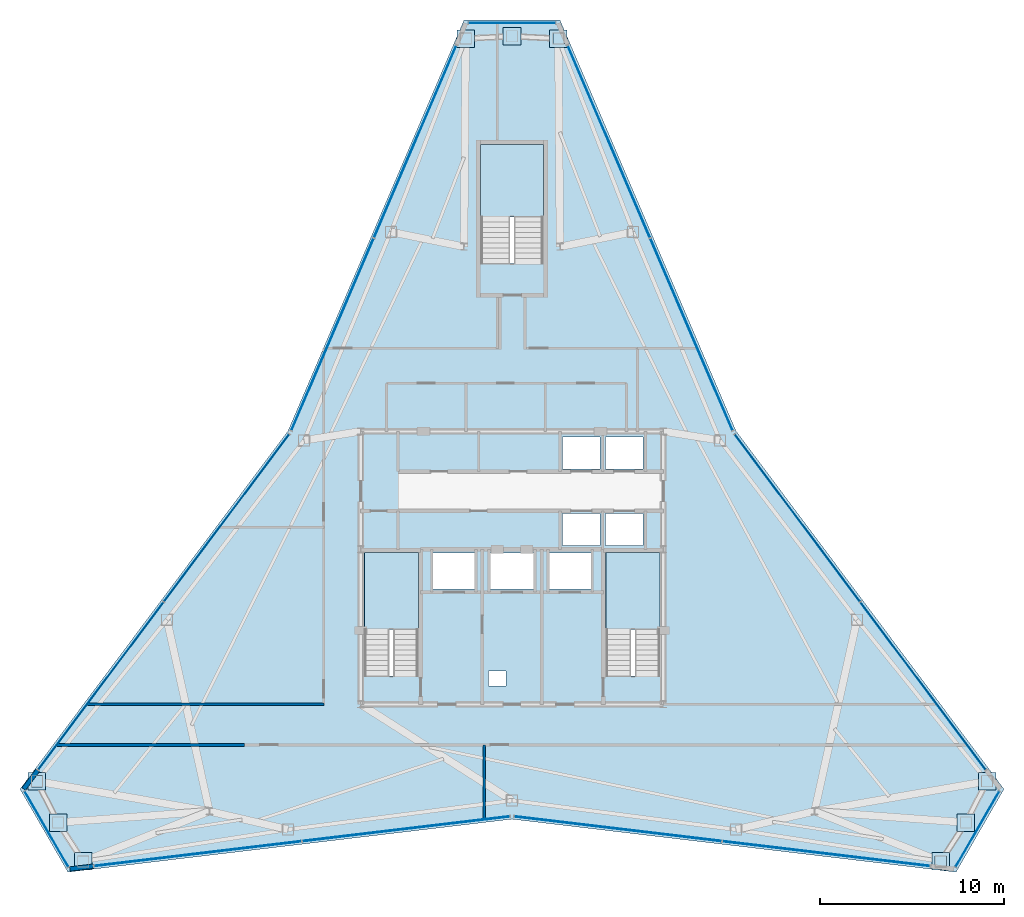
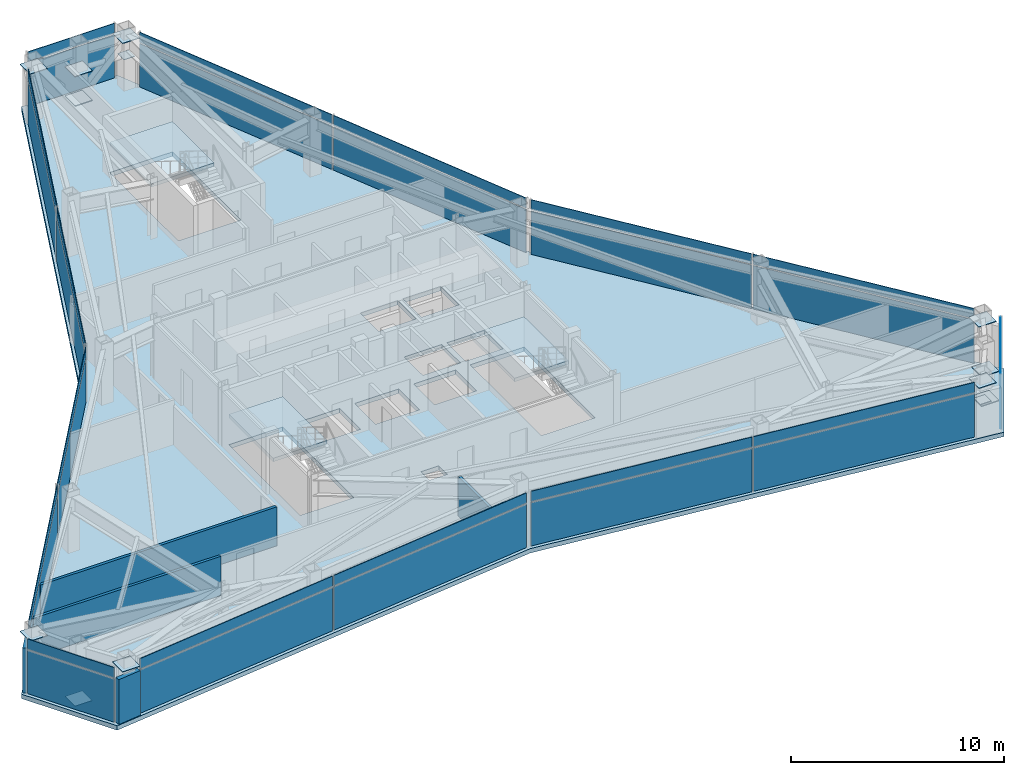
# One storey, part 8 of 12: 45 plates, 5 walls, 4 slabs, 12 elements without a shape of their own.
"""IFC4 building model written with IfcOpenShell, lengths in metres."""

import ifcopenshell
import ifcopenshell.guid

model = None  # the IFC model being written
_history = None  # IfcOwnerHistory: only IFC2X3 demands one
_inside = {}  # id of a spatial element -> (the spatial element, [elements in it])
_under = {}  # id of a project, library or spatial element -> (it, [spatial elements below it])
_declared = {}  # id of a project -> (the project, [libraries it declares])
_typed = {}  # id of a type object -> (the type object, [elements of that type])
_made_of = {}  # id of a material, layer set ... -> (it, [elements and type objects made of it])


def new_model(schema):
    """Start an empty IFC model of exactly this schema.

    Asked for "IFC4X3", IfcOpenShell would pick the latest addendum, in which some entities
    have other attributes; the version numbers below select the first issue.
    IFC2X3 requires an IfcOwnerHistory on every rooted entity: one is made here for all.
    """
    global model, _history
    if schema == "IFC4X3":
        model = ifcopenshell.file(schema_version=(4, 3, 0, 0))
    else:
        model = ifcopenshell.file(schema=schema)
    _inside.clear()
    _under.clear()
    _declared.clear()
    _typed.clear()
    _made_of.clear()
    _history = None
    if model.schema == "IFC2X3":
        org = make("IfcOrganization", Name="unknown")
        user = make(
            "IfcPersonAndOrganization",
            ThePerson=make("IfcPerson", FamilyName="unknown"),
            TheOrganization=org,
        )
        app = make(
            "IfcApplication",
            ApplicationDeveloper=org,
            Version="unknown",
            ApplicationFullName="unknown",
            ApplicationIdentifier="unknown",
        )
        _history = make(
            "IfcOwnerHistory",
            OwningUser=user,
            OwningApplication=app,
            ChangeAction="ADDED",
            CreationDate=0,
        )
    return model


def make(cls, **values):
    """One entity of the class cls with the attributes given. An attribute that is None is left unset."""
    return model.create_entity(
        cls, **{name: value for name, value in values.items() if value is not None}
    )


def rooted(cls, **values):
    """An entity with a GlobalId (a new one), such as an element, a storey or a relation."""
    return make(cls, GlobalId=ifcopenshell.guid.new(), OwnerHistory=_history, **values)


def si_unit(unit_type, name, prefix=None):
    """IfcSIUnit, for example si_unit("LENGTHUNIT", "METRE", prefix="MILLI")."""
    return make("IfcSIUnit", UnitType=unit_type, Prefix=prefix, Name=name)


def assignment(units):
    """IfcUnitAssignment: the units of a project."""
    return None if units is None else make("IfcUnitAssignment", Units=units)


def point(xyz):
    """IfcCartesianPoint."""
    return None if xyz is None else make("IfcCartesianPoint", Coordinates=xyz)


def direction(xyz):
    """IfcDirection."""
    return None if xyz is None else make("IfcDirection", DirectionRatios=xyz)


def frame(location, z_axis=None, x_axis=None):
    """IfcAxis2Placement3D, a coordinate frame: its origin and axes. An axis left out is left unset."""
    return make(
        "IfcAxis2Placement3D",
        Location=point(location),
        Axis=direction(z_axis),
        RefDirection=direction(x_axis),
    )


def frame_2d(location, x_axis=None):
    """IfcAxis2Placement2D, a coordinate frame in the plane: its origin and x axis."""
    return make(
        "IfcAxis2Placement2D", Location=point(location), RefDirection=direction(x_axis)
    )


def origin():
    """The frame at (0, 0, 0) with its axes left unset."""
    return frame((0.0, 0.0, 0.0))


def origin_2d():
    """The frame at (0, 0) in the plane with its x axis left unset."""
    return frame_2d((0.0, 0.0))


def place(relative_to, where):
    """IfcLocalPlacement: puts the frame where relative to a parent placement (None: the world)."""
    return make(
        "IfcLocalPlacement", PlacementRelTo=relative_to, RelativePlacement=where
    )


def context(
    kind, dimensions, precision=None, world=None, true_north=None, identifier=None
):
    """IfcGeometricRepresentationContext, for example the 3D "Model" context."""
    return make(
        "IfcGeometricRepresentationContext",
        ContextIdentifier=identifier,
        ContextType=kind,
        CoordinateSpaceDimension=dimensions,
        Precision=precision,
        WorldCoordinateSystem=world,
        TrueNorth=true_north,
    )


def subcontext(parent, identifier, kind, view, scale=None):
    """IfcGeometricRepresentationSubContext, for example "Body" below "Model"."""
    return make(
        "IfcGeometricRepresentationSubContext",
        ContextIdentifier=identifier,
        ContextType=kind,
        ParentContext=parent,
        TargetScale=scale,
        TargetView=view,
    )


def project(units=None, contexts=None):
    """IfcProject with its units and contexts."""
    return rooted(
        "IfcProject",
        Name="project",
        RepresentationContexts=contexts,
        UnitsInContext=assignment(units),
    )


def spatial(cls, under=None, at=None, **own):
    """A site, building, storey or space (cls), placed at a placement, below another one or the project."""
    s = rooted(cls, ObjectPlacement=at, **own)
    if under is not None:
        _under.setdefault(under.id(), (under, []))[1].append(s)
    return s


def polyline(points):
    """IfcPolyline through the points."""
    return make("IfcPolyline", Points=[point(p) for p in points])


def profile(cls, at=None, kind="AREA", **sizes):
    """A parametric profile (cls). Its sizes go by their IFC names, for example OverallWidth=200.0."""
    return make(cls, ProfileType=kind, Position=at, **sizes)


def rectangle(**sizes):
    """IfcRectangleProfileDef."""
    return profile("IfcRectangleProfileDef", **sizes)


def outline(outer, holes=None, kind="AREA"):
    """IfcArbitraryClosedProfileDef: a profile drawn as a closed curve; with holes, ...WithVoids."""
    if holes is None:
        return make("IfcArbitraryClosedProfileDef", ProfileType=kind, OuterCurve=outer)
    return make(
        "IfcArbitraryProfileDefWithVoids",
        ProfileType=kind,
        OuterCurve=outer,
        InnerCurves=holes,
    )


def extrude(swept, where, along, depth):
    """IfcExtrudedAreaSolid: the profile swept, set in the frame where, extruded along a direction by depth."""
    return make(
        "IfcExtrudedAreaSolid",
        SweptArea=swept,
        Position=where,
        ExtrudedDirection=direction(along),
        Depth=depth,
    )


def shape(context_of_items, identifier, shape_type, items):
    """IfcShapeRepresentation: the items that make up one representation, for example the "Body"."""
    return make(
        "IfcShapeRepresentation",
        ContextOfItems=context_of_items,
        RepresentationIdentifier=identifier,
        RepresentationType=shape_type,
        Items=items,
    )


def source(mapping_origin, context_of_items, identifier, shape_type, items):
    """IfcRepresentationMap: a shape defined once, which mapped items show again and again."""
    return make(
        "IfcRepresentationMap",
        MappingOrigin=mapping_origin,
        MappedRepresentation=shape(context_of_items, identifier, shape_type, items),
    )


def transform(
    local_origin,
    x_axis=None,
    y_axis=None,
    z_axis=None,
    scale=None,
    scale2=None,
    scale3=None,
    uniform=True,
):
    """IfcCartesianTransformationOperator3D, or its non-uniform kind. x_axis, y_axis, z_axis: its Axis1, 2, 3."""
    if uniform:
        return make(
            "IfcCartesianTransformationOperator3D",
            Axis1=direction(x_axis),
            Axis2=direction(y_axis),
            LocalOrigin=point(local_origin),
            Scale=scale,
            Axis3=direction(z_axis),
        )
    return make(
        "IfcCartesianTransformationOperator3DnonUniform",
        Axis1=direction(x_axis),
        Axis2=direction(y_axis),
        LocalOrigin=point(local_origin),
        Scale=scale,
        Axis3=direction(z_axis),
        Scale2=scale2,
        Scale3=scale3,
    )


def mapped(mapping_source, mapping_target):
    """IfcMappedItem: shows the shape of a source again, moved by a transform."""
    return make(
        "IfcMappedItem", MappingSource=mapping_source, MappingTarget=mapping_target
    )


def material(Name=None, Category=None):
    """IfcMaterial."""
    return make("IfcMaterial", Name=Name, Category=Category)


def layer(
    of_material, thickness, ventilated=None, Name=None, Category=None, Priority=None
):
    """IfcMaterialLayer: one layer of a wall or slab, of a material (None: an air gap)."""
    return make(
        "IfcMaterialLayer",
        Material=of_material,
        LayerThickness=thickness,
        IsVentilated=ventilated,
        Name=Name,
        Category=Category,
        Priority=Priority,
    )


def layer_set(layers, Name=None):
    """IfcMaterialLayerSet."""
    return make("IfcMaterialLayerSet", MaterialLayers=layers, LayerSetName=Name)


def made_of(thing, what):
    """Note that an element or type object is made of a material, layer set ...; save() writes the relation."""
    if what is not None:
        _made_of.setdefault(what.id(), (what, []))[1].append(thing)
    return thing


def type_object(cls, material=None, **own):
    """A type object (cls), such as IfcWallType, which elements share."""
    return made_of(rooted(cls, **own), material)


def type_shapes(of_type, sources):
    """Give a type object the sources (RepresentationMaps) that its elements show as mapped items."""
    of_type.RepresentationMaps = sources


def element(
    cls,
    number,
    at=None,
    inside=None,
    cuts=None,
    type_object=None,
    material=None,
    context=None,
    identifier="Body",
    shape_type=None,
    held_by="IfcProductDefinitionShape",
    body=None,
    shapes=None,
    **own,
):
    """One element of the class cls, such as IfcWall. Its Tag is "e" and its number.

    at: its placement. inside: the storey or other place that contains it. cuts: it is an
    opening in that element (IfcRelVoidsElement). A single representation is given by context,
    identifier, shape_type and body (its items); several are given by shapes. held_by: the class
    of the entity that holds the representations. save() writes the other relations.
    """
    e = rooted(cls, Tag="e%d" % number, ObjectPlacement=at, **own)
    if body is not None:
        shapes = [shape(context, identifier, shape_type, body)]
    if shapes is not None:
        e.Representation = make(held_by, Representations=shapes)
    if inside is not None:
        _inside.setdefault(inside.id(), (inside, []))[1].append(e)
    if cuts is not None:
        rooted(
            "IfcRelVoidsElement", RelatingBuildingElement=cuts, RelatedOpeningElement=e
        )
    if type_object is not None:
        _typed.setdefault(type_object.id(), (type_object, []))[1].append(e)
    return made_of(e, material)


def aggregate(whole, parts):
    """IfcRelAggregates: a whole, such as a stair, and the parts it consists of."""
    return rooted("IfcRelAggregates", RelatingObject=whole, RelatedObjects=parts)


def save(model, path):
    """Write the relations noted so far, then the file.

    IfcRelAggregates (storeys below a building ...), IfcRelContainedInSpatialStructure (elements
    in a storey), IfcRelDefinesByType, IfcRelAssociatesMaterial and IfcRelDeclares: one each for
    every whole, place, type object, material and project.
    """
    for whole, parts in _under.values():
        aggregate(whole, parts)
    for where, things in _inside.values():
        rooted(
            "IfcRelContainedInSpatialStructure",
            RelatedElements=things,
            RelatingStructure=where,
        )
    for kind, things in _typed.values():
        rooted("IfcRelDefinesByType", RelatedObjects=things, RelatingType=kind)
    for what, things in _made_of.values():
        rooted("IfcRelAssociatesMaterial", RelatedObjects=things, RelatingMaterial=what)
    for by, libraries in _declared.values():
        rooted("IfcRelDeclares", RelatingContext=by, RelatedDefinitions=libraries)
    model.write(path)


model = new_model("IFC4")

# Units and contexts
model_context = context("Model", 3, precision=1e-05, world=origin(), true_north=direction((0.0, 1.0)))
body_context = subcontext(model_context, "Body", "Model", "MODEL_VIEW")
ifc_project = project(units=[si_unit("LENGTHUNIT", "METRE"), si_unit("AREAUNIT", "SQUARE_METRE"), si_unit("VOLUMEUNIT", "CUBIC_METRE"), si_unit("PLANEANGLEUNIT", "RADIAN"), si_unit("MASSUNIT", "GRAM", prefix="KILO")], contexts=[model_context])

# Site, building, storey
site_placement = place(None, origin())
site = spatial("IfcSite", under=ifc_project, at=site_placement, CompositionType="ELEMENT")
building_placement = place(site_placement, origin())
building = spatial("IfcBuilding", under=site, at=building_placement, Name="Varakhsha Concourse Tower", CompositionType="ELEMENT")
storey_placement = place(building_placement, frame((0.0, 0.0, 286.5)))
storey = spatial("IfcBuildingStorey", under=building, at=storey_placement, Name="L81", CompositionType="ELEMENT", Elevation=286.5)

# Slab
ifc_material_1 = material(Name="Concrete fc 45 MPa", Category="concrete")
ifc_layer_1 = layer(ifc_material_1, 0.25, Name="SL-FLR-250")
ifc_layer_set_1 = layer_set([ifc_layer_1], Name="Concrete fc 45 MPa")
slab_type_1 = type_object("IfcSlabType", Name="SL-FLR-250", PredefinedType="FLOOR", material=ifc_layer_set_1)
slab_1_placement = place(storey_placement, frame((0.0, 0.0, -0.25)))
element("IfcSlab", 1, at=slab_1_placement, inside=storey, type_object=slab_type_1, Name="L81 Composite Structural Slab", PredefinedType="FLOOR", context=body_context, shape_type="SweptSolid", body=[
    extrude(outline(polyline([(42.60009765625, 53.49658203125), (37.39990234375, 53.49658203125), (27.852294921875, 31.21337890625), (13.328369140625, 11.80322265625), (15.92822265625, 7.300048828125), (40.0, 10.173095703125), (64.07177734375, 7.300048828125), (66.671630859375, 11.80322265625), (52.147705078125, 31.21337890625), (42.60009765625, 53.49658203125)]), holes=[polyline([(34.919921875, 17.93994140625), (34.919921875, 24.6298828125), (32.0, 24.6298828125), (32.0, 17.93994140625), (34.919921875, 17.93994140625)]), polyline([(48.02001953125, 17.93994140625), (48.02001953125, 24.6298828125), (45.10009765625, 24.6298828125), (45.10009765625, 17.93994140625), (48.02001953125, 17.93994140625)]), polyline([(41.699951171875, 40.300048828125), (41.699951171875, 46.75), (38.300048828125, 46.75), (38.300048828125, 40.300048828125), (41.699951171875, 40.300048828125)]), polyline([(42.739990234375, 29.159912109375), (44.780029296875, 29.159912109375), (44.780029296875, 30.89990234375), (42.739990234375, 30.89990234375), (42.739990234375, 29.159912109375)]), polyline([(45.06005859375, 29.159912109375), (47.10009765625, 29.159912109375), (47.10009765625, 30.89990234375), (45.06005859375, 30.89990234375), (45.06005859375, 29.159912109375)]), polyline([(42.739990234375, 25.0), (44.780029296875, 25.0), (44.780029296875, 26.739990234375), (42.739990234375, 26.739990234375), (42.739990234375, 25.0)]), polyline([(45.06005859375, 25.0), (47.10009765625, 25.0), (47.10009765625, 26.739990234375), (45.06005859375, 26.739990234375), (45.06005859375, 25.0)]), polyline([(35.7099609375, 22.639892578125), (37.989990234375, 22.639892578125), (37.989990234375, 24.60009765625), (35.7099609375, 24.60009765625), (35.7099609375, 22.639892578125)]), polyline([(42.010009765625, 22.639892578125), (44.2900390625, 22.639892578125), (44.2900390625, 24.60009765625), (42.010009765625, 24.60009765625), (42.010009765625, 22.639892578125)]), polyline([(38.81005859375, 22.639892578125), (41.18994140625, 22.639892578125), (41.18994140625, 24.60009765625), (38.81005859375, 24.60009765625), (38.81005859375, 22.639892578125)]), polyline([(38.719970703125, 17.39990234375), (39.679931640625, 17.39990234375), (39.679931640625, 18.199951171875), (38.719970703125, 18.199951171875), (38.719970703125, 17.39990234375)])]), origin(), (0.0, 0.0, 1.0), 0.25),
])

# Stair, slab
stair_type_1 = type_object("IfcStairType", Name="ST-DOGLEG-1360", PredefinedType="HALF_TURN_STAIR", material=ifc_material_1)
stair_1_placement = place(storey_placement, origin())
stair_1 = element("IfcStair", 2, at=stair_1_placement, inside=storey, type_object=stair_type_1, Name="L81 Protected Exit Stair ST1", PredefinedType="HALF_TURN_STAIR")
ifc_layer_2 = layer(ifc_material_1, 0.199951171875, Name="SL-LAND-200")
ifc_layer_set_2 = layer_set([ifc_layer_2], Name="Concrete fc 45 MPa")
slab_type_2 = type_object("IfcSlabType", Name="SL-LAND-200", PredefinedType="LANDING", material=ifc_layer_set_2)
slab_2_placement = place(storey_placement, frame((0.0, 0.0, 1.550048828125)))
slab_2 = element("IfcSlab", 3, at=slab_2_placement, type_object=slab_type_2, Name="ST1 landing 1", PredefinedType="LANDING", context=body_context, shape_type="SweptSolid", body=[
    extrude(outline(polyline([(34.919921875, 20.4599609375), (34.919921875, 24.6298828125), (32.0, 24.6298828125), (32.0, 20.4599609375), (34.919921875, 20.4599609375)])), origin(), (0.0, 0.0, 1.0), 0.199951171875),
])
aggregate(stair_1, [slab_2])

stair_2_placement = place(storey_placement, origin())
stair_2 = element("IfcStair", 4, at=stair_2_placement, inside=storey, type_object=stair_type_1, Name="L81 Protected Exit Stair ST2", PredefinedType="HALF_TURN_STAIR")
slab_3_placement = place(storey_placement, frame((0.0, 0.0, 1.550048828125)))
slab_3 = element("IfcSlab", 5, at=slab_3_placement, type_object=slab_type_2, Name="ST2 landing 1", PredefinedType="LANDING", context=body_context, shape_type="SweptSolid", body=[
    extrude(outline(polyline([(48.02001953125, 20.4599609375), (48.02001953125, 24.6298828125), (45.10009765625, 24.6298828125), (45.10009765625, 20.4599609375), (48.02001953125, 20.4599609375)])), origin(), (0.0, 0.0, 1.0), 0.199951171875),
])
aggregate(stair_2, [slab_3])

stair_type_2 = type_object("IfcStairType", Name="ST-DOGLEG-1600", PredefinedType="HALF_TURN_STAIR", material=ifc_material_1)
stair_3_placement = place(storey_placement, origin())
stair_3 = element("IfcStair", 6, at=stair_3_placement, inside=storey, type_object=stair_type_2, Name="L81 Protected Exit Stair ST5", PredefinedType="HALF_TURN_STAIR")
slab_4_placement = place(storey_placement, frame((0.0, 0.0, 1.550048828125)))
slab_4 = element("IfcSlab", 7, at=slab_4_placement, type_object=slab_type_2, Name="ST5 landing 1", PredefinedType="LANDING", context=body_context, shape_type="SweptSolid", body=[
    extrude(outline(polyline([(41.699951171875, 42.820068359375), (41.699951171875, 46.75), (38.300048828125, 46.75), (38.300048828125, 42.820068359375), (41.699951171875, 42.820068359375)])), origin(), (0.0, 0.0, 1.0), 0.199951171875),
])
aggregate(stair_3, [slab_4])

# Plates
ifc_material_2 = material(Name="Structural Steel ASTM A572 Grade 50", Category="steel")
ifc_layer_3 = layer(ifc_material_2, 0.030029296875, Name="PL-ENDCAP-950")
ifc_layer_set_3 = layer_set([ifc_layer_3], Name="Structural Steel ASTM A572 Grade 50")
plate_type_1 = type_object("IfcPlateType", Name="PL-ENDCAP-950", PredefinedType="USERDEFINED", material=ifc_layer_set_3)
shared_shape_1 = source(origin(), body_context, "Body", "SweptSolid", [
    extrude(rectangle(XDim=0.949951171875, YDim=0.949951171875, at=origin_2d()), origin(), (0.0, 0.0, 1.0), 0.030029296875),
])
type_shapes(plate_type_1, [shared_shape_1])
for number, where, z_axis, x_axis, name in (
    (8, (40.0, 52.61669921875, 0.10498046875), (0.0, 0.0, 1.0), (1.0, 0.0, 0.0), "Hollow Section End Cap GP-NODE-L81-0856"),
    (9, (42.510498046875, 52.48876953125, 2.884765625), (0.0, 0.0, 1.0), (1.0, 0.0, 0.0), "Hollow Section End Cap GP-NODE-L81-0857"),
    (10, (37.489501953125, 52.48876953125, 2.884765625), (0.0, 0.0, 1.0), (1.0, 0.0, 0.0), "Hollow Section End Cap GP-NODE-L81-0858"),
    (11, (15.390380859375, 9.99169921875, 0.10498046875), (0.0, 0.0, 1.0), (1.0, 0.0, 0.0), "Hollow Section End Cap GP-NODE-L81-0859"),
    (12, (14.24609375, 12.229736328125, 2.884765625), (0.0, 0.0, 1.0), (1.0, 0.0, 0.0), "Hollow Section End Cap GP-NODE-L81-0860"),
    (13, (16.756591796875, 7.881591796875, 2.884765625), (0.0, 0.0, 1.0), (1.0, 0.0, 0.0), "Hollow Section End Cap GP-NODE-L81-0861"),
    (14, (64.609619140625, 9.99169921875, 0.10498046875), (0.0, 0.0, 1.0), (1.0, 0.0, 0.0), "Hollow Section End Cap GP-NODE-L81-0862"),
    (15, (63.243408203125, 7.881591796875, 2.884765625), (0.0, 0.0, 1.0), (1.0, 0.0, 0.0), "Hollow Section End Cap GP-NODE-L81-0863"),
    (16, (65.75390625, 12.229736328125, 2.884765625), (0.0, 0.0, 1.0), (1.0, 0.0, 0.0), "Hollow Section End Cap GP-NODE-L81-0864"),
    (17, (40.0, 52.61669921875, 1.78515625), (0.0, 0.0, 1.0), (1.0, 0.0, 0.0), "Hollow Section End Cap GP-NODE-L81-0865"),
    (18, (15.390380859375, 9.99169921875, 1.78515625), (0.0, 0.0, 1.0), (1.0, 0.0, 0.0), "Hollow Section End Cap GP-NODE-L81-0866"),
    (19, (64.609619140625, 9.99169921875, 1.78515625), (0.0, 0.0, 1.0), (1.0, 0.0, 0.0), "Hollow Section End Cap GP-NODE-L81-0867"),
):
    element("IfcPlate", number, at=place(storey_placement, frame(where, z_axis=z_axis, x_axis=x_axis)), inside=storey, type_object=plate_type_1, Name=name, ObjectType="END PLATE", PredefinedType="USERDEFINED", context=body_context, shape_type="MappedRepresentation", body=[
        mapped(shared_shape_1, transform((0.0, 0.0, 0.0), scale=1.0)),
    ])
ifc_layer_4 = layer(ifc_material_2, 0.030029296875, Name="PL-BASE-600")
ifc_layer_set_4 = layer_set([ifc_layer_4], Name="Structural Steel ASTM A572 Grade 50")
plate_type_2 = type_object("IfcPlateType", Name="PL-BASE-600", PredefinedType="SHEET", material=ifc_layer_set_4)
shared_shape_2 = source(origin(), body_context, "Body", "SweptSolid", [
    extrude(rectangle(XDim=0.60009765625, YDim=0.60009765625, at=origin_2d()), origin(), (0.0, 0.0, 1.0), 0.030029296875),
])
type_shapes(plate_type_2, [shared_shape_2])
for number, where, z_axis, x_axis, name in (
    (20, (42.510498046875, 52.48876953125, 1.78515625), (0.0, 0.0, 1.0), (1.0, 0.0, 0.0), "Hollow Section End Cap BP-WTIE-L81-1"),
    (21, (14.24609375, 12.229736328125, 1.78515625), (0.0, 0.0, 1.0), (1.0, 0.0, 0.0), "Hollow Section End Cap BP-WTIE-L81-2"),
    (22, (63.243408203125, 7.881591796875, 1.78515625), (0.0, 0.0, 1.0), (1.0, 0.0, 0.0), "Hollow Section End Cap BP-WTIE-L81-3"),
):
    element("IfcPlate", number, at=place(storey_placement, frame(where, z_axis=z_axis, x_axis=x_axis)), inside=storey, type_object=plate_type_2, Name=name, PredefinedType="SHEET", context=body_context, shape_type="MappedRepresentation", body=[
        mapped(shared_shape_2, transform((0.0, 0.0, 0.0), scale=1.0)),
    ])

# Curtain wall, plate
ifc_material_3 = material(Name="Anodised Bronze Architectural Aluminium AA 6063-T6", Category="aluminium")
ifc_layer_5 = layer(ifc_material_3, 0.199951171875, Name="CW-SYS-05")
ifc_layer_set_5 = layer_set([ifc_layer_5], Name="Anodised Bronze Architectural Aluminium AA 6063-T6")
curtain_wall_type = type_object("IfcCurtainWallType", Name="CW-SYS-05", PredefinedType="NOTDEFINED", material=ifc_layer_set_5)
curtain_wall_1_placement = place(storey_placement, origin())
curtain_wall_1 = element("IfcCurtainWall", 23, at=curtain_wall_1_placement, inside=storey, type_object=curtain_wall_type, Name="L81 Chamfer Curtain Wall F1", PredefinedType="NOTDEFINED")
ifc_material_4 = material(Name="Insulated Anodised Bronze Aluminium Spandrel 36 mm", Category="aluminium")
ifc_layer_6 = layer(ifc_material_4, 0.035888671875, Name="CWP-SPN-36")
ifc_layer_set_6 = layer_set([ifc_layer_6], Name="Insulated Anodised Bronze Aluminium Spandrel 36 mm")
plate_type_3 = type_object("IfcPlateType", Name="CWP-SPN-36", PredefinedType="USERDEFINED", material=ifc_layer_set_6)
shared_shape_3 = source(origin(), body_context, "Body", "SweptSolid", [
    extrude(rectangle(XDim=4.69091796875, YDim=0.035888671875, at=origin_2d()), origin(), (0.0, 0.0, 1.0), 2.486083984375),
])
plate_1_placement = place(storey_placement, frame((40.0, 53.336669921875, 0.03173828125), z_axis=(0.0, 0.0, 1.0), x_axis=(1.0, 0.0, 0.0)))
plate_1 = element("IfcPlate", 24, at=plate_1_placement, type_object=plate_type_3, Name="CW-L81-F1 Panel 00-00", ObjectType="SPANDREL", PredefinedType="USERDEFINED", context=body_context, shape_type="MappedRepresentation", body=[
    mapped(shared_shape_3, transform((0.0, 0.0, 0.0), scale=1.0)),
])

curtain_wall_2_placement = place(storey_placement, origin())
curtain_wall_2 = element("IfcCurtainWall", 25, at=curtain_wall_2_placement, inside=storey, type_object=curtain_wall_type, Name="L81 Chamfer Curtain Wall F4", PredefinedType="NOTDEFINED")
plate_2_placement = place(storey_placement, frame((14.766845703125, 9.631591796875, 0.03173828125), z_axis=(0.0, 0.0, 1.0), x_axis=(-0.4999984885, 0.866026276448, 0.0)))
plate_2 = element("IfcPlate", 26, at=plate_2_placement, type_object=plate_type_3, Name="CW-L81-F4 Panel 00-00", ObjectType="SPANDREL", PredefinedType="USERDEFINED", context=body_context, shape_type="MappedRepresentation", body=[
    mapped(shared_shape_3, transform((0.0, 0.0, 0.0), scale=1.0)),
])

curtain_wall_3_placement = place(storey_placement, origin())
curtain_wall_3 = element("IfcCurtainWall", 27, at=curtain_wall_3_placement, inside=storey, type_object=curtain_wall_type, Name="L81 Chamfer Curtain Wall F7", PredefinedType="NOTDEFINED")
plate_3_placement = place(storey_placement, frame((65.233154296875, 9.631591796875, 0.03173828125), z_axis=(0.0, 0.0, 1.0), x_axis=(-0.4999984885, -0.866026276448, 0.0)))
plate_3 = element("IfcPlate", 28, at=plate_3_placement, type_object=plate_type_3, Name="CW-L81-F7 Panel 00-00", ObjectType="SPANDREL", PredefinedType="USERDEFINED", context=body_context, shape_type="MappedRepresentation", body=[
    mapped(shared_shape_3, transform((0.0, 0.0, 0.0), scale=1.0)),
])

# Plate
shared_shape_4 = source(origin(), body_context, "Body", "SweptSolid", [
    extrude(rectangle(XDim=4.69091796875, YDim=0.035888671875, at=origin_2d()), origin(), (0.0, 0.0, 1.0), 0.5859375),
])
plate_4_placement = place(storey_placement, frame((40.0, 53.336669921875, 2.58203125), z_axis=(0.0, 0.0, 1.0), x_axis=(1.0, 0.0, 0.0)))
plate_4 = element("IfcPlate", 29, at=plate_4_placement, type_object=plate_type_3, Name="CW-L81-F1 Panel 00-01", ObjectType="SPANDREL", PredefinedType="USERDEFINED", context=body_context, shape_type="MappedRepresentation", body=[
    mapped(shared_shape_4, transform((0.0, 0.0, 0.0), scale=1.0)),
])

aggregate(curtain_wall_1, [plate_1, plate_4])

plate_5_placement = place(storey_placement, frame((14.766845703125, 9.631591796875, 2.58203125), z_axis=(0.0, 0.0, 1.0), x_axis=(-0.4999984885, 0.866026276448, 0.0)))
plate_5 = element("IfcPlate", 30, at=plate_5_placement, type_object=plate_type_3, Name="CW-L81-F4 Panel 00-01", ObjectType="SPANDREL", PredefinedType="USERDEFINED", context=body_context, shape_type="MappedRepresentation", body=[
    mapped(shared_shape_4, transform((0.0, 0.0, 0.0), scale=1.0)),
])

aggregate(curtain_wall_2, [plate_2, plate_5])

plate_6_placement = place(storey_placement, frame((65.233154296875, 9.631591796875, 2.58203125), z_axis=(0.0, 0.0, 1.0), x_axis=(-0.4999984885, -0.866026276448, 0.0)))
plate_6 = element("IfcPlate", 31, at=plate_6_placement, type_object=plate_type_3, Name="CW-L81-F7 Panel 00-01", ObjectType="SPANDREL", PredefinedType="USERDEFINED", context=body_context, shape_type="MappedRepresentation", body=[
    mapped(shared_shape_4, transform((0.0, 0.0, 0.0), scale=1.0)),
])

aggregate(curtain_wall_3, [plate_3, plate_6])

# Curtain wall, plates
curtain_wall_4_placement = place(storey_placement, origin())
curtain_wall_4 = element("IfcCurtainWall", 32, at=curtain_wall_4_placement, inside=storey, type_object=curtain_wall_type, Name="L81 Crystal Curtain Wall F2", PredefinedType="NOTDEFINED")
ifc_material_5 = material(Name="Low-E Triple Insulating Glass IGU 44 mm", Category="glass")
ifc_layer_7 = layer(ifc_material_5, 0.0439453125, Name="CWP-IGU-44")
ifc_layer_set_7 = layer_set([ifc_layer_7], Name="Low-E Triple Insulating Glass IGU 44 mm")
plate_type_4 = type_object("IfcPlateType", Name="CWP-IGU-44", PredefinedType="CURTAIN_PANEL", material=ifc_layer_set_7)
shared_shape_5 = source(origin(), body_context, "Body", "SweptSolid", [
    extrude(rectangle(XDim=11.30224609375, YDim=0.0439453125, at=origin_2d()), origin(), (0.0, 0.0, 1.0), 2.486083984375),
])
type_shapes(plate_type_4, [shared_shape_5])
plate_7_placement = place(storey_placement, frame((30.27001953125, 36.4501953125, 0.03173828125), z_axis=(0.0, 0.0, 1.0), x_axis=(0.393839238731, 0.919179337255, 0.0)))
plate_7 = element("IfcPlate", 33, at=plate_7_placement, type_object=plate_type_4, Name="CW-L81-F2 Panel 00-00", PredefinedType="CURTAIN_PANEL", context=body_context, shape_type="MappedRepresentation", body=[
    mapped(shared_shape_5, transform((0.0, 0.0, 0.0), scale=1.0)),
])
plate_8_placement = place(storey_placement, frame((34.74853515625, 46.90234375, 0.03173828125), z_axis=(0.0, 0.0, 1.0), x_axis=(0.393839238731, 0.919179337255, 0.0)))
plate_8 = element("IfcPlate", 34, at=plate_8_placement, type_object=plate_type_4, Name="CW-L81-F2 Panel 01-00", PredefinedType="CURTAIN_PANEL", context=body_context, shape_type="MappedRepresentation", body=[
    mapped(shared_shape_5, transform((0.0, 0.0, 0.0), scale=1.0)),
])

curtain_wall_5_placement = place(storey_placement, origin())
curtain_wall_5 = element("IfcCurtainWall", 35, at=curtain_wall_5_placement, inside=storey, type_object=curtain_wall_type, Name="L81 Crystal Curtain Wall F3", PredefinedType="NOTDEFINED")
plate_9_placement = place(storey_placement, frame((17.71337890625, 17.396728515625, 0.03173828125), z_axis=(0.0, 0.0, 1.0), x_axis=(0.599113037331, 0.800664454375, 0.0)))
plate_9 = element("IfcPlate", 36, at=plate_9_placement, type_object=plate_type_4, Name="CW-L81-F3 Panel 00-00", PredefinedType="CURTAIN_PANEL", context=body_context, shape_type="MappedRepresentation", body=[
    mapped(shared_shape_5, transform((0.0, 0.0, 0.0), scale=1.0)),
])
plate_10_placement = place(storey_placement, frame((24.526123046875, 26.501220703125, 0.03173828125), z_axis=(0.0, 0.0, 1.0), x_axis=(0.599113037331, 0.800664454375, 0.0)))
plate_10 = element("IfcPlate", 37, at=plate_10_placement, type_object=plate_type_4, Name="CW-L81-F3 Panel 01-00", PredefinedType="CURTAIN_PANEL", context=body_context, shape_type="MappedRepresentation", body=[
    mapped(shared_shape_5, transform((0.0, 0.0, 0.0), scale=1.0)),
])

curtain_wall_6_placement = place(storey_placement, origin())
curtain_wall_6 = element("IfcCurtainWall", 38, at=curtain_wall_6_placement, inside=storey, type_object=curtain_wall_type, Name="L81 Crystal Curtain Wall F5", PredefinedType="NOTDEFINED")
plate_11_placement = place(storey_placement, frame((34.256103515625, 9.648681640625, 0.03173828125), z_axis=(0.0, 0.0, 1.0), x_axis=(-0.992952482908, -0.118513149851, 0.0)))
plate_11 = element("IfcPlate", 39, at=plate_11_placement, type_object=plate_type_4, Name="CW-L81-F5 Panel 00-00", PredefinedType="CURTAIN_PANEL", context=body_context, shape_type="MappedRepresentation", body=[
    mapped(shared_shape_5, transform((0.0, 0.0, 0.0), scale=1.0)),
])
plate_12_placement = place(storey_placement, frame((22.96484375, 8.30078125, 0.03173828125), z_axis=(0.0, 0.0, 1.0), x_axis=(-0.992952482908, -0.118513149851, 0.0)))
plate_12 = element("IfcPlate", 40, at=plate_12_placement, type_object=plate_type_4, Name="CW-L81-F5 Panel 01-00", PredefinedType="CURTAIN_PANEL", context=body_context, shape_type="MappedRepresentation", body=[
    mapped(shared_shape_5, transform((0.0, 0.0, 0.0), scale=1.0)),
])

curtain_wall_7_placement = place(storey_placement, origin())
curtain_wall_7 = element("IfcCurtainWall", 41, at=curtain_wall_7_placement, inside=storey, type_object=curtain_wall_type, Name="L81 Crystal Curtain Wall F6", PredefinedType="NOTDEFINED")
plate_13_placement = place(storey_placement, frame((57.03515625, 8.30078125, 0.03173828125), z_axis=(0.0, 0.0, 1.0), x_axis=(-0.992952482908, 0.118513149851, 0.0)))
plate_13 = element("IfcPlate", 42, at=plate_13_placement, type_object=plate_type_4, Name="CW-L81-F6 Panel 00-00", PredefinedType="CURTAIN_PANEL", context=body_context, shape_type="MappedRepresentation", body=[
    mapped(shared_shape_5, transform((0.0, 0.0, 0.0), scale=1.0)),
])
plate_14_placement = place(storey_placement, frame((45.743896484375, 9.648681640625, 0.03173828125), z_axis=(0.0, 0.0, 1.0), x_axis=(-0.992952482908, 0.118513149851, 0.0)))
plate_14 = element("IfcPlate", 43, at=plate_14_placement, type_object=plate_type_4, Name="CW-L81-F6 Panel 01-00", PredefinedType="CURTAIN_PANEL", context=body_context, shape_type="MappedRepresentation", body=[
    mapped(shared_shape_5, transform((0.0, 0.0, 0.0), scale=1.0)),
])

curtain_wall_8_placement = place(storey_placement, origin())
curtain_wall_8 = element("IfcCurtainWall", 44, at=curtain_wall_8_placement, inside=storey, type_object=curtain_wall_type, Name="L81 Crystal Curtain Wall F8", PredefinedType="NOTDEFINED")
plate_15_placement = place(storey_placement, frame((55.473876953125, 26.501220703125, 0.03173828125), z_axis=(0.0, 0.0, 1.0), x_axis=(0.599113037331, -0.800664454375, 0.0)))
plate_15 = element("IfcPlate", 45, at=plate_15_placement, type_object=plate_type_4, Name="CW-L81-F8 Panel 00-00", PredefinedType="CURTAIN_PANEL", context=body_context, shape_type="MappedRepresentation", body=[
    mapped(shared_shape_5, transform((0.0, 0.0, 0.0), scale=1.0)),
])
plate_16_placement = place(storey_placement, frame((62.28662109375, 17.396728515625, 0.03173828125), z_axis=(0.0, 0.0, 1.0), x_axis=(0.599113037331, -0.800664454375, 0.0)))
plate_16 = element("IfcPlate", 46, at=plate_16_placement, type_object=plate_type_4, Name="CW-L81-F8 Panel 01-00", PredefinedType="CURTAIN_PANEL", context=body_context, shape_type="MappedRepresentation", body=[
    mapped(shared_shape_5, transform((0.0, 0.0, 0.0), scale=1.0)),
])

curtain_wall_9_placement = place(storey_placement, origin())
curtain_wall_9 = element("IfcCurtainWall", 47, at=curtain_wall_9_placement, inside=storey, type_object=curtain_wall_type, Name="L81 Crystal Curtain Wall F9", PredefinedType="NOTDEFINED")
plate_17_placement = place(storey_placement, frame((45.25146484375, 46.90234375, 0.03173828125), z_axis=(0.0, 0.0, 1.0), x_axis=(0.393839238731, -0.919179337255, 0.0)))
plate_17 = element("IfcPlate", 48, at=plate_17_placement, type_object=plate_type_4, Name="CW-L81-F9 Panel 00-00", PredefinedType="CURTAIN_PANEL", context=body_context, shape_type="MappedRepresentation", body=[
    mapped(shared_shape_5, transform((0.0, 0.0, 0.0), scale=1.0)),
])
plate_18_placement = place(storey_placement, frame((49.72998046875, 36.4501953125, 0.03173828125), z_axis=(0.0, 0.0, 1.0), x_axis=(0.393839238731, -0.919179337255, 0.0)))
plate_18 = element("IfcPlate", 49, at=plate_18_placement, type_object=plate_type_4, Name="CW-L81-F9 Panel 01-00", PredefinedType="CURTAIN_PANEL", context=body_context, shape_type="MappedRepresentation", body=[
    mapped(shared_shape_5, transform((0.0, 0.0, 0.0), scale=1.0)),
])

# Plate
shared_shape_6 = source(origin(), body_context, "Body", "SweptSolid", [
    extrude(rectangle(XDim=11.30224609375, YDim=0.035888671875, at=origin_2d()), origin(), (0.0, 0.0, 1.0), 0.5859375),
])
type_shapes(plate_type_3, [shared_shape_3, shared_shape_4, shared_shape_6])
plate_19_placement = place(storey_placement, frame((30.27001953125, 36.4501953125, 2.58203125), z_axis=(0.0, 0.0, 1.0), x_axis=(0.393839238731, 0.919179337255, 0.0)))
plate_19 = element("IfcPlate", 50, at=plate_19_placement, type_object=plate_type_3, Name="CW-L81-F2 Panel 00-01", ObjectType="SPANDREL", PredefinedType="USERDEFINED", context=body_context, shape_type="MappedRepresentation", body=[
    mapped(shared_shape_6, transform((0.0, 0.0, 0.0), scale=1.0)),
])

plate_20_placement = place(storey_placement, frame((34.74853515625, 46.90234375, 2.58203125), z_axis=(0.0, 0.0, 1.0), x_axis=(0.393839238731, 0.919179337255, 0.0)))
plate_20 = element("IfcPlate", 51, at=plate_20_placement, type_object=plate_type_3, Name="CW-L81-F2 Panel 01-01", ObjectType="SPANDREL", PredefinedType="USERDEFINED", context=body_context, shape_type="MappedRepresentation", body=[
    mapped(shared_shape_6, transform((0.0, 0.0, 0.0), scale=1.0)),
])

aggregate(curtain_wall_4, [plate_7, plate_19, plate_8, plate_20])

plate_21_placement = place(storey_placement, frame((17.71337890625, 17.396728515625, 2.58203125), z_axis=(0.0, 0.0, 1.0), x_axis=(0.599113037331, 0.800664454375, 0.0)))
plate_21 = element("IfcPlate", 52, at=plate_21_placement, type_object=plate_type_3, Name="CW-L81-F3 Panel 00-01", ObjectType="SPANDREL", PredefinedType="USERDEFINED", context=body_context, shape_type="MappedRepresentation", body=[
    mapped(shared_shape_6, transform((0.0, 0.0, 0.0), scale=1.0)),
])

plate_22_placement = place(storey_placement, frame((24.526123046875, 26.501220703125, 2.58203125), z_axis=(0.0, 0.0, 1.0), x_axis=(0.599113037331, 0.800664454375, 0.0)))
plate_22 = element("IfcPlate", 53, at=plate_22_placement, type_object=plate_type_3, Name="CW-L81-F3 Panel 01-01", ObjectType="SPANDREL", PredefinedType="USERDEFINED", context=body_context, shape_type="MappedRepresentation", body=[
    mapped(shared_shape_6, transform((0.0, 0.0, 0.0), scale=1.0)),
])

aggregate(curtain_wall_5, [plate_9, plate_21, plate_10, plate_22])

plate_23_placement = place(storey_placement, frame((34.256103515625, 9.648681640625, 2.58203125), z_axis=(0.0, 0.0, 1.0), x_axis=(-0.992952482908, -0.118513149851, 0.0)))
plate_23 = element("IfcPlate", 54, at=plate_23_placement, type_object=plate_type_3, Name="CW-L81-F5 Panel 00-01", ObjectType="SPANDREL", PredefinedType="USERDEFINED", context=body_context, shape_type="MappedRepresentation", body=[
    mapped(shared_shape_6, transform((0.0, 0.0, 0.0), scale=1.0)),
])

plate_24_placement = place(storey_placement, frame((22.96484375, 8.30078125, 2.58203125), z_axis=(0.0, 0.0, 1.0), x_axis=(-0.992952482908, -0.118513149851, 0.0)))
plate_24 = element("IfcPlate", 55, at=plate_24_placement, type_object=plate_type_3, Name="CW-L81-F5 Panel 01-01", ObjectType="SPANDREL", PredefinedType="USERDEFINED", context=body_context, shape_type="MappedRepresentation", body=[
    mapped(shared_shape_6, transform((0.0, 0.0, 0.0), scale=1.0)),
])

aggregate(curtain_wall_6, [plate_11, plate_23, plate_12, plate_24])

plate_25_placement = place(storey_placement, frame((57.03515625, 8.30078125, 2.58203125), z_axis=(0.0, 0.0, 1.0), x_axis=(-0.992952482908, 0.118513149851, 0.0)))
plate_25 = element("IfcPlate", 56, at=plate_25_placement, type_object=plate_type_3, Name="CW-L81-F6 Panel 00-01", ObjectType="SPANDREL", PredefinedType="USERDEFINED", context=body_context, shape_type="MappedRepresentation", body=[
    mapped(shared_shape_6, transform((0.0, 0.0, 0.0), scale=1.0)),
])

plate_26_placement = place(storey_placement, frame((45.743896484375, 9.648681640625, 2.58203125), z_axis=(0.0, 0.0, 1.0), x_axis=(-0.992952482908, 0.118513149851, 0.0)))
plate_26 = element("IfcPlate", 57, at=plate_26_placement, type_object=plate_type_3, Name="CW-L81-F6 Panel 01-01", ObjectType="SPANDREL", PredefinedType="USERDEFINED", context=body_context, shape_type="MappedRepresentation", body=[
    mapped(shared_shape_6, transform((0.0, 0.0, 0.0), scale=1.0)),
])

aggregate(curtain_wall_7, [plate_13, plate_25, plate_14, plate_26])

plate_27_placement = place(storey_placement, frame((55.473876953125, 26.501220703125, 2.58203125), z_axis=(0.0, 0.0, 1.0), x_axis=(0.599113037331, -0.800664454375, 0.0)))
plate_27 = element("IfcPlate", 58, at=plate_27_placement, type_object=plate_type_3, Name="CW-L81-F8 Panel 00-01", ObjectType="SPANDREL", PredefinedType="USERDEFINED", context=body_context, shape_type="MappedRepresentation", body=[
    mapped(shared_shape_6, transform((0.0, 0.0, 0.0), scale=1.0)),
])

plate_28_placement = place(storey_placement, frame((62.28662109375, 17.396728515625, 2.58203125), z_axis=(0.0, 0.0, 1.0), x_axis=(0.599113037331, -0.800664454375, 0.0)))
plate_28 = element("IfcPlate", 59, at=plate_28_placement, type_object=plate_type_3, Name="CW-L81-F8 Panel 01-01", ObjectType="SPANDREL", PredefinedType="USERDEFINED", context=body_context, shape_type="MappedRepresentation", body=[
    mapped(shared_shape_6, transform((0.0, 0.0, 0.0), scale=1.0)),
])

aggregate(curtain_wall_8, [plate_15, plate_27, plate_16, plate_28])

plate_29_placement = place(storey_placement, frame((45.25146484375, 46.90234375, 2.58203125), z_axis=(0.0, 0.0, 1.0), x_axis=(0.393839238731, -0.919179337255, 0.0)))
plate_29 = element("IfcPlate", 60, at=plate_29_placement, type_object=plate_type_3, Name="CW-L81-F9 Panel 00-01", ObjectType="SPANDREL", PredefinedType="USERDEFINED", context=body_context, shape_type="MappedRepresentation", body=[
    mapped(shared_shape_6, transform((0.0, 0.0, 0.0), scale=1.0)),
])

plate_30_placement = place(storey_placement, frame((49.72998046875, 36.4501953125, 2.58203125), z_axis=(0.0, 0.0, 1.0), x_axis=(0.393839238731, -0.919179337255, 0.0)))
plate_30 = element("IfcPlate", 61, at=plate_30_placement, type_object=plate_type_3, Name="CW-L81-F9 Panel 01-01", ObjectType="SPANDREL", PredefinedType="USERDEFINED", context=body_context, shape_type="MappedRepresentation", body=[
    mapped(shared_shape_6, transform((0.0, 0.0, 0.0), scale=1.0)),
])

aggregate(curtain_wall_9, [plate_17, plate_29, plate_18, plate_30])

# Walls
ifc_layer_8 = layer(ifc_material_1, 0.239990234375, Name="WL-EXT-CRN-240")
ifc_layer_set_8 = layer_set([ifc_layer_8], Name="Concrete fc 45 MPa")
wall_type_1 = type_object("IfcWallType", Name="WL-EXT-CRN-240", PredefinedType="SHEAR", material=ifc_layer_set_8)
wall_1_placement = place(storey_placement, frame((14.28759765625, 12.818359375, 0.0), z_axis=(0.0, 0.0, 1.0), x_axis=(-0.5991037677, -0.800671390477, 0.0)))
element("IfcWall", 62, at=wall_1_placement, inside=storey, type_object=wall_type_1, Name="L81 Wind-Corner Shoulder Wall F3", PredefinedType="SHEAR", context=body_context, shape_type="SweptSolid", body=[
    extrude(rectangle(XDim=1.264404296875, YDim=0.239990234375, at=frame_2d((0.63232421875, 0.0))), origin(), (0.0, 0.0, 1.0), 2.572998046875),
])
wall_2_placement = place(storey_placement, frame((16.031494140625, 7.473388671875, 0.0), z_axis=(0.0, 0.0, 1.0), x_axis=(0.992948828443, 0.118543764469, 0.0)))
element("IfcWall", 63, at=wall_2_placement, inside=storey, type_object=wall_type_1, Name="L81 Wind-Corner Shoulder Wall F5", PredefinedType="SHEAR", context=body_context, shape_type="SweptSolid", body=[
    extrude(rectangle(XDim=1.2646484375, YDim=0.239990234375, at=frame_2d((0.63232421875, 0.0))), origin(), (0.0, 0.0, 1.0), 2.572998046875),
])
ifc_material_6 = material(Name="Fire-Rated Type X Gypsum Partition Assembly", Category="gypsum")
ifc_layer_9 = layer(ifc_material_6, 0.14990234375, Name="WL-PART-150")
ifc_layer_set_9 = layer_set([ifc_layer_9], Name="Fire-Rated Type X Gypsum Partition Assembly")
wall_type_2 = type_object("IfcWallType", Name="WL-PART-150", PredefinedType="PARTITIONING", material=ifc_layer_set_9)
wall_3_placement = place(storey_placement, frame((15.32763671875, 14.199951171875, 0.0), z_axis=(0.0, 0.0, 1.0), x_axis=(1.0, 0.0, 0.0)))
element("IfcWall", 64, at=wall_3_placement, inside=storey, type_object=wall_type_2, Name="L81 Wall CRW-SGAL-SW-L81", PredefinedType="PARTITIONING", context=body_context, shape_type="SweptSolid", body=[
    extrude(rectangle(XDim=10.17236328125, YDim=0.14990234375, at=frame_2d((5.086181640625, 0.0))), origin(), (0.0, 0.0, 1.0), 2.241943359375),
])
wall_4_placement = place(storey_placement, frame((16.973876953125, 16.39990234375, 0.0), z_axis=(0.0, 0.0, 1.0), x_axis=(1.0, 0.0, 0.0)))
element("IfcWall", 65, at=wall_4_placement, inside=storey, type_object=wall_type_2, Name="L81 Wall CRW-SGAL-NW-L81", PredefinedType="PARTITIONING", context=body_context, shape_type="SweptSolid", body=[
    extrude(rectangle(XDim=12.826171875, YDim=0.14990234375, at=frame_2d((6.4130859375, 0.0))), origin(), (0.0, 0.0, 1.0), 2.241943359375),
])
wall_5_placement = place(storey_placement, frame((38.5, 10.16015625, 0.0), z_axis=(0.0, 0.0, 1.0), x_axis=(0.0, 1.0, 0.0)))
element("IfcWall", 66, at=wall_5_placement, inside=storey, type_object=wall_type_2, Name="L81 Wall ODIV-S1-L81", PredefinedType="PARTITIONING", context=body_context, shape_type="SweptSolid", body=[
    extrude(rectangle(XDim=4.039794921875, YDim=0.14990234375, at=frame_2d((2.02001953125, 0.0))), origin(), (0.0, 0.0, 1.0), 2.241943359375),
])

save(model, "model.ifc")
